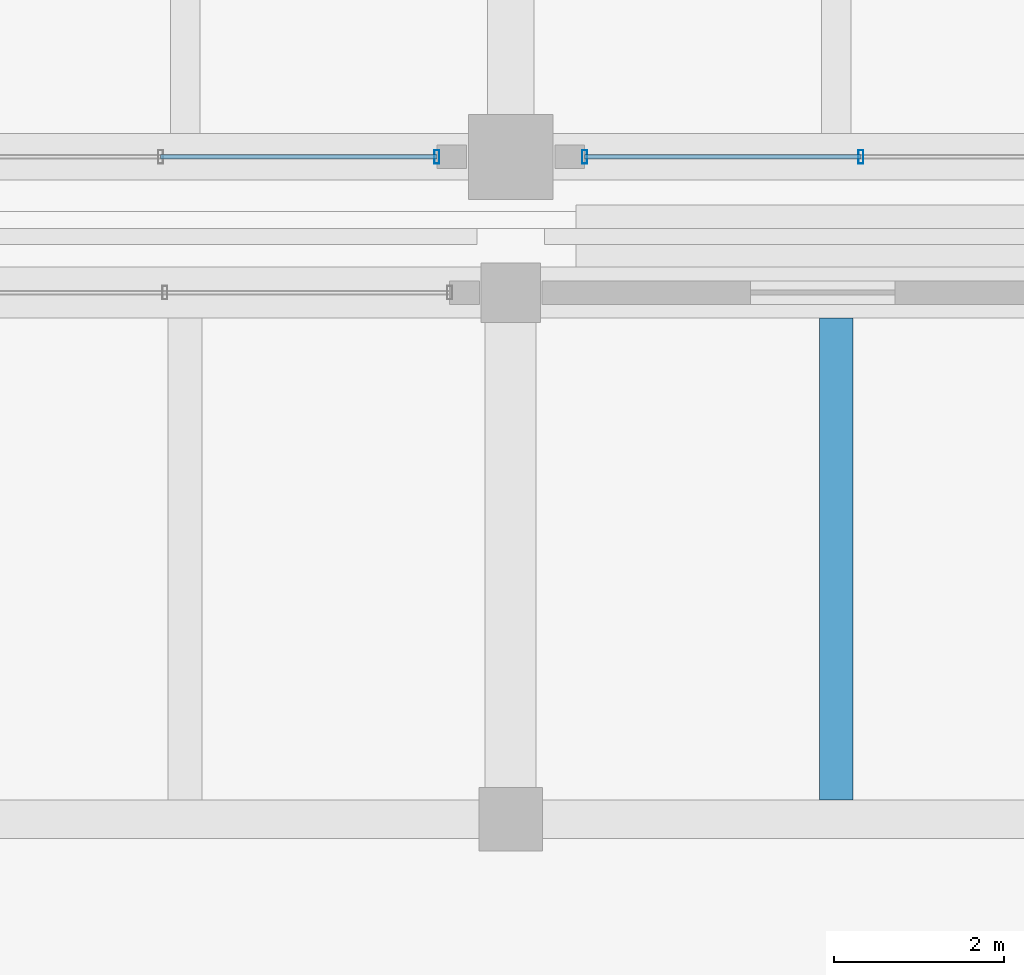
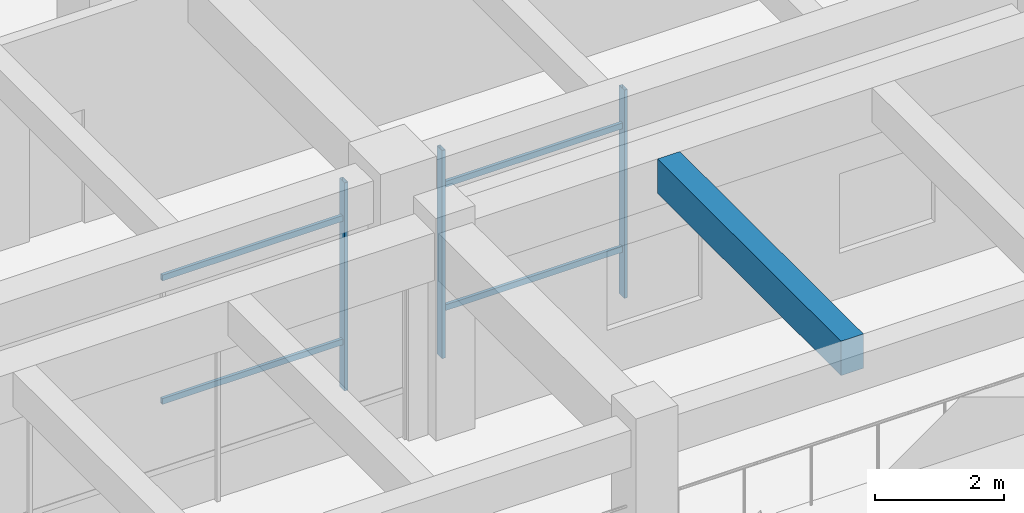
# One storey, part 64 of 109: 7 members, 1 beam, 2 elements without a shape of their own.
"""IFC4 building model written with IfcOpenShell, lengths in metres."""

from ifc_helpers import new_model, si_unit, direction, frame, origin, origin_2d, place, context, subcontext, project, spatial, rectangle, hollow_rectangle, extrude, material, material_profile, profile_set, type_object, element, aggregate, save


model = new_model("IFC4")

# Units and contexts
model_context = context("Model", 3, precision=1e-05, world=origin(), true_north=direction((0.0, 1.0)))
body_context = subcontext(model_context, "Body", "Model", "MODEL_VIEW")
ifc_project = project(units=[si_unit("LENGTHUNIT", "METRE"), si_unit("AREAUNIT", "SQUARE_METRE"), si_unit("VOLUMEUNIT", "CUBIC_METRE"), si_unit("PLANEANGLEUNIT", "RADIAN"), si_unit("MASSUNIT", "GRAM", prefix="KILO")], contexts=[model_context])

# Site, building, storey
site_placement = place(None, origin())
site = spatial("IfcSite", under=ifc_project, at=site_placement, CompositionType="ELEMENT")
building_placement = place(site_placement, origin())
building = spatial("IfcBuilding", under=site, at=building_placement, Name="Ologun Quay Terminus", CompositionType="ELEMENT")
storey_placement = place(building_placement, origin())
storey = spatial("IfcBuildingStorey", under=building, at=storey_placement, Name="L00", CompositionType="ELEMENT", Elevation=0.0)

# Curtain wall, member
ifc_material_1 = material(Name="Aluminium 6063-T6", Category="aluminium")
curtain_wall_type = type_object("IfcCurtainWallType", Name="Waterfront Pavilion Harbour Curtain Wall L00 10500x3750", PredefinedType="USERDEFINED", material=ifc_material_1)
curtain_wall_1_placement = place(storey_placement, origin())
curtain_wall_1 = element("IfcCurtainWall", 1, at=curtain_wall_1_placement, inside=storey, type_object=curtain_wall_type, Name="CW-22 Curtain Wall CW-L00-118", ObjectType="UNITISED CURTAIN WALL", PredefinedType="USERDEFINED")
ifc_material_2 = material(Name="Aluminium 6063-T6", Category="aluminium")
ifc_material_profile_1 = material_profile(ifc_material_2, hollow_rectangle(XDim=0.06005859375, YDim=0.159912109375, WallThickness=0.00390625, at=origin_2d()), Name="ALU 160x60x4")
ifc_profile_set_1 = profile_set([ifc_material_profile_1], Name="Aluminium 6063-T6")
member_type_1 = type_object("IfcMemberType", Name="Courtyard Screen Mullion 160x65", PredefinedType="MULLION", material=ifc_profile_set_1)
member_1_placement = place(storey_placement, frame((137.1298828125, 85.800048828125, 0.0), z_axis=(0.0, 0.0, 1.0), x_axis=(1.0, 0.0, 0.0)))
member_1 = element("IfcMember", 2, at=member_1_placement, type_object=member_type_1, Name="CW-L00-118 Mullion 4", PredefinedType="MULLION", context=body_context, shape_type="SweptSolid", body=[
    extrude(hollow_rectangle(XDim=0.06005859375, YDim=0.159912109375, WallThickness=0.00390625, at=origin_2d()), origin(), (0.0, 0.0, 1.0), 3.929931640625),
])

# Curtain wall, members
curtain_wall_2_placement = place(storey_placement, origin())
curtain_wall_2 = element("IfcCurtainWall", 3, at=curtain_wall_2_placement, inside=storey, type_object=curtain_wall_type, Name="CW-22 Curtain Wall CW-L00-119", ObjectType="UNITISED CURTAIN WALL", PredefinedType="USERDEFINED")
member_2_placement = place(storey_placement, frame((138.8701171875, 85.800048828125, 0.0), z_axis=(0.0, 0.0, 1.0), x_axis=(1.0, 0.0, 0.0)))
member_2 = element("IfcMember", 4, at=member_2_placement, type_object=member_type_1, Name="CW-L00-119 Mullion 1", PredefinedType="MULLION", context=body_context, shape_type="SweptSolid", body=[
    extrude(hollow_rectangle(XDim=0.06005859375, YDim=0.159912109375, WallThickness=0.00390625, at=origin_2d()), origin(), (0.0, 0.0, 1.0), 3.929931640625),
])
member_3_placement = place(storey_placement, frame((142.123291015625, 85.800048828125, 0.0), z_axis=(0.0, 0.0, 1.0), x_axis=(1.0, 0.0, 0.0)))
member_3 = element("IfcMember", 5, at=member_3_placement, type_object=member_type_1, Name="CW-L00-119 Mullion 2", PredefinedType="MULLION", context=body_context, shape_type="SweptSolid", body=[
    extrude(hollow_rectangle(XDim=0.06005859375, YDim=0.159912109375, WallThickness=0.00390625, at=origin_2d()), origin(), (0.0, 0.0, 1.0), 3.929931640625),
])

# Member
ifc_material_3 = material(Name="Aluminium 6063-T6", Category="aluminium")
ifc_material_profile_2 = material_profile(ifc_material_3, hollow_rectangle(XDim=0.054931640625, YDim=0.110107421875, WallThickness=0.00390625, at=origin_2d()), Name="ALU 110x55x4")
ifc_profile_set_2 = profile_set([ifc_material_profile_2], Name="Aluminium 6063-T6")
member_type_2 = type_object("IfcMemberType", Name="Courtyard Screen Transom 110x55", PredefinedType="USERDEFINED", material=ifc_profile_set_2)
member_4_placement = place(storey_placement, frame((133.876708984375, 85.800048828125, 0.89990234375), z_axis=(1.0, 0.0, 0.0), x_axis=(0.0, 1.0, 0.0)))
member_4 = element("IfcMember", 6, at=member_4_placement, type_object=member_type_2, Name="CW-L00-118 Transom B3-1", ObjectType="TRANSOM", PredefinedType="USERDEFINED", context=body_context, shape_type="SweptSolid", body=[
    extrude(hollow_rectangle(XDim=0.054931640625, YDim=0.110107421875, WallThickness=0.00390625, at=origin_2d()), origin(), (0.0, 0.0, 1.0), 3.253173828125),
])

member_5_placement = place(storey_placement, frame((133.876708984375, 85.800048828125, 3.22998046875), z_axis=(1.0, 0.0, 0.0), x_axis=(0.0, 1.0, 0.0)))
member_5 = element("IfcMember", 7, at=member_5_placement, type_object=member_type_2, Name="CW-L00-118 Transom B3-2", ObjectType="TRANSOM", PredefinedType="USERDEFINED", context=body_context, shape_type="SweptSolid", body=[
    extrude(hollow_rectangle(XDim=0.054931640625, YDim=0.110107421875, WallThickness=0.00390625, at=origin_2d()), origin(), (0.0, 0.0, 1.0), 3.253173828125),
])

aggregate(curtain_wall_1, [member_1, member_4, member_5])

member_6_placement = place(storey_placement, frame((138.8701171875, 85.800048828125, 0.89990234375), z_axis=(1.0, 0.0, 0.0), x_axis=(0.0, 1.0, 0.0)))
member_6 = element("IfcMember", 8, at=member_6_placement, type_object=member_type_2, Name="CW-L00-119 Transom B1-1", ObjectType="TRANSOM", PredefinedType="USERDEFINED", context=body_context, shape_type="SweptSolid", body=[
    extrude(hollow_rectangle(XDim=0.054931640625, YDim=0.110107421875, WallThickness=0.00390625, at=origin_2d()), origin(), (0.0, 0.0, 1.0), 3.253173828125),
])

member_7_placement = place(storey_placement, frame((138.8701171875, 85.800048828125, 3.22998046875), z_axis=(1.0, 0.0, 0.0), x_axis=(0.0, 1.0, 0.0)))
member_7 = element("IfcMember", 9, at=member_7_placement, type_object=member_type_2, Name="CW-L00-119 Transom B1-2", ObjectType="TRANSOM", PredefinedType="USERDEFINED", context=body_context, shape_type="SweptSolid", body=[
    extrude(hollow_rectangle(XDim=0.054931640625, YDim=0.110107421875, WallThickness=0.00390625, at=origin_2d()), origin(), (0.0, 0.0, 1.0), 3.253173828125),
])

aggregate(curtain_wall_2, [member_2, member_3, member_6, member_7])

# Beam
ifc_material_4 = material(Name="Concrete C40/50", Category="concrete")
ifc_material_profile_3 = material_profile(ifc_material_4, rectangle(XDim=0.39990234375, YDim=0.64990234375, at=origin_2d()), Name="RC 400x650")
ifc_profile_set_3 = profile_set([ifc_material_profile_3], Name="Concrete C40/50")
beam_type = type_object("IfcBeamType", Name="Station Secondary Joist 400x650", PredefinedType="JOIST", material=ifc_profile_set_3)
beam_placement = place(storey_placement, frame((141.833251953125, 78.22509765625, 3.574951171875), z_axis=(0.0, 1.0, 0.0), x_axis=(-1.0, 0.0, 0.0)))
element("IfcBeam", 10, at=beam_placement, inside=storey, type_object=beam_type, Name="J1 Beam 13/F L00", PredefinedType="JOIST", context=body_context, shape_type="SweptSolid", body=[
    extrude(rectangle(XDim=0.39990234375, YDim=0.64990234375, at=origin_2d()), origin(), (0.0, 0.0, 1.0), 5.6748046875),
])

save(model, "model.ifc")
